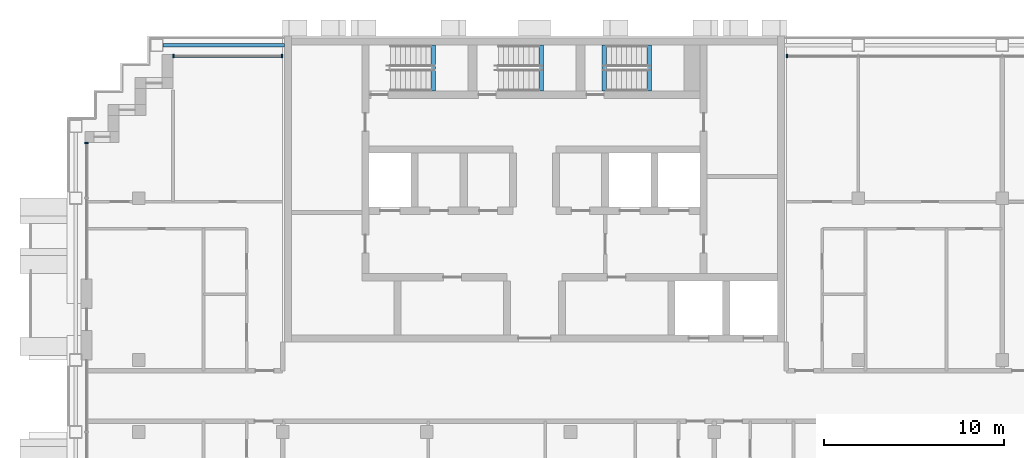
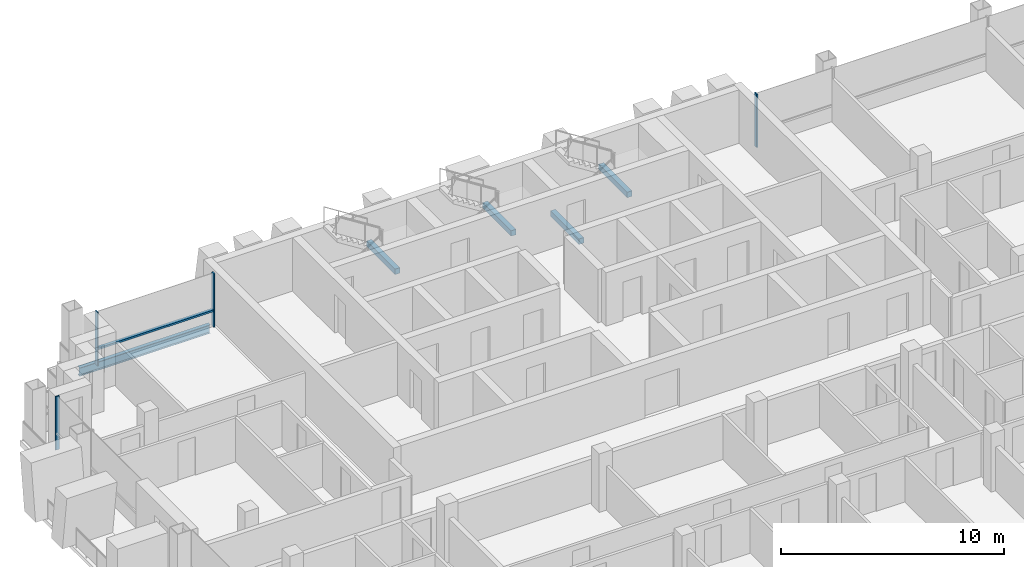
# One storey, part 4 of 16: 5 beams, 5 members, 3 elements without a shape of their own.
"""IFC4 building model written with IfcOpenShell, lengths in metres."""

from ifc_helpers import new_model, si_unit, direction, frame, origin, origin_2d, place, context, subcontext, project, spatial, rectangle, i_section, extrude, material, material_profile, profile_set, type_object, element, aggregate, save


model = new_model("IFC4")

# Units and contexts
model_context = context("Model", 3, precision=1e-05, world=origin(), true_north=direction((0.0, 1.0)))
body_context = subcontext(model_context, "Body", "Model", "MODEL_VIEW")
ifc_project = project(units=[si_unit("LENGTHUNIT", "METRE"), si_unit("AREAUNIT", "SQUARE_METRE"), si_unit("VOLUMEUNIT", "CUBIC_METRE"), si_unit("PLANEANGLEUNIT", "RADIAN"), si_unit("MASSUNIT", "GRAM", prefix="KILO")], contexts=[model_context])

# Site, building, storey
site_placement = place(None, origin())
site = spatial("IfcSite", under=ifc_project, at=site_placement, CompositionType="ELEMENT")
building_placement = place(site_placement, origin())
building = spatial("IfcBuilding", under=site, at=building_placement, Name="Vidyagriha Tower", CompositionType="ELEMENT")
storey_placement = place(building_placement, frame((0.0, 0.0, 187.699951171875)))
storey = spatial("IfcBuildingStorey", under=building, at=storey_placement, Name="L49", CompositionType="ELEMENT", Elevation=187.699951171875)

# Beam
ifc_material_1 = material(Name="Steel ASTM A992 Grade 50", Category="steel")
ifc_material_profile_1 = material_profile(ifc_material_1, i_section(OverallWidth=0.19189453125, OverallDepth=0.46240234375, WebThickness=0.010498046875, FlangeThickness=0.017578125, at=origin_2d()), Name="W18X60")
ifc_profile_set_1 = profile_set([ifc_material_profile_1], Name="Steel ASTM A992 Grade 50")
beam_type_1 = type_object("IfcBeamType", Name="Edge beam W18X60", PredefinedType="SPANDREL", material=ifc_profile_set_1)
beam_placement = place(storey_placement, frame((-20.64990234375, 19.5, -0.510986328125), z_axis=(1.0, 0.0, 0.0), x_axis=(0.0, 1.0, 0.0)))
element("IfcBeam", 1, at=beam_placement, inside=storey, type_object=beam_type_1, Name="st-beam-L49-NC20", PredefinedType="SPANDREL", context=body_context, shape_type="SweptSolid", body=[
    extrude(i_section(OverallWidth=0.19189453125, OverallDepth=0.46240234375, WebThickness=0.010498046875, FlangeThickness=0.017578125, at=origin_2d()), origin(), (0.0, 0.0, 1.0), 6.75),
])

# Curtain wall, member
ifc_material_2 = material(Name="Aluminium and glass curtain wall", Category="aluminium")
curtain_wall_type = type_object("IfcCurtainWallType", Name="Dwelling skin unitised curtain wall", PredefinedType="USERDEFINED", material=ifc_material_2)
curtain_wall_1_placement = place(storey_placement, origin())
curtain_wall_1 = element("IfcCurtainWall", 2, at=curtain_wall_1_placement, inside=storey, type_object=curtain_wall_type, Name="CW1 dwelling skin", ObjectType="UNITISED", PredefinedType="USERDEFINED")
ifc_material_3 = material(Name="Aluminium black anodised", Category="aluminium")
ifc_material_profile_2 = material_profile(ifc_material_3, rectangle(XDim=0.199951171875, YDim=0.070068359375, at=origin_2d()), Name="Mullion 70x200 black aluminium")
ifc_profile_set_2 = profile_set([ifc_material_profile_2], Name="Aluminium black anodised")
member_type_1 = type_object("IfcMemberType", Name="Mullion 70x200 black aluminium", PredefinedType="MULLION", material=ifc_profile_set_2)
member_1_placement = place(storey_placement, frame((14.034912109375, 18.89990234375, 0.0), z_axis=(0.0, 0.0, 1.0), x_axis=(0.0, -1.0, 0.0)))
member_1 = element("IfcMember", 3, at=member_1_placement, type_object=member_type_1, Name="CW1 mullion 4", PredefinedType="MULLION", context=body_context, shape_type="SweptSolid", body=[
    extrude(rectangle(XDim=0.199951171875, YDim=0.070068359375, at=origin_2d()), origin(), (0.0, 0.0, 1.0), 2.920166015625),
])
aggregate(curtain_wall_1, [member_1])

# Curtain wall, members
curtain_wall_2_placement = place(storey_placement, origin())
curtain_wall_2 = element("IfcCurtainWall", 4, at=curtain_wall_2_placement, inside=storey, type_object=curtain_wall_type, Name="CW1 dwelling skin", ObjectType="UNITISED", PredefinedType="USERDEFINED")
member_2_placement = place(storey_placement, frame((-14.034912109375, 18.89990234375, 0.0), z_axis=(0.0, 0.0, 1.0), x_axis=(0.0, -1.0, 0.0)))
member_2 = element("IfcMember", 5, at=member_2_placement, type_object=member_type_1, Name="CW1 mullion 1", PredefinedType="MULLION", context=body_context, shape_type="SweptSolid", body=[
    extrude(rectangle(XDim=0.199951171875, YDim=0.070068359375, at=origin_2d()), origin(), (0.0, 0.0, 1.0), 2.920166015625),
])
member_3_placement = place(storey_placement, frame((-20.06494140625, 18.89990234375, 0.0), z_axis=(0.0, 0.0, 1.0), x_axis=(0.0, -1.0, 0.0)))
member_3 = element("IfcMember", 6, at=member_3_placement, type_object=member_type_1, Name="CW1 mullion 2", PredefinedType="MULLION", context=body_context, shape_type="SweptSolid", body=[
    extrude(rectangle(XDim=0.199951171875, YDim=0.070068359375, at=origin_2d()), origin(), (0.0, 0.0, 1.0), 2.920166015625),
])

# Curtain wall, member
curtain_wall_3_placement = place(storey_placement, origin())
curtain_wall_3 = element("IfcCurtainWall", 7, at=curtain_wall_3_placement, inside=storey, type_object=curtain_wall_type, Name="CW1 dwelling skin", ObjectType="UNITISED", PredefinedType="USERDEFINED")
member_4_placement = place(storey_placement, frame((-24.89990234375, 14.06494140625, 0.0)))
member_4 = element("IfcMember", 8, at=member_4_placement, type_object=member_type_1, Name="CW1 mullion 1", PredefinedType="MULLION", context=body_context, shape_type="SweptSolid", body=[
    extrude(rectangle(XDim=0.199951171875, YDim=0.070068359375, at=origin_2d()), origin(), (0.0, 0.0, 1.0), 2.920166015625),
])
aggregate(curtain_wall_3, [member_4])

# Beams
ifc_material_4 = material(Name="Concrete C40/50", Category="concrete")
ifc_material_profile_3 = material_profile(ifc_material_4, rectangle(XDim=0.25, YDim=0.300048828125, at=origin_2d()), Name="Stair landing bearing beam 250x300")
ifc_profile_set_3 = profile_set([ifc_material_profile_3], Name="Concrete C40/50")
beam_type_2 = type_object("IfcBeamType", Name="Stair landing bearing beam 250x300", PredefinedType="BEAM", material=ifc_profile_set_3)
for number, where, z_axis, x_axis, name in (
    (9, (3.875, 16.949951171875, -0.429931640625), (0.0, 1.0, 0.0), (-1.0, 0.0, 0.0), "ST3 floor landing bearing beam L49"),
    (10, (-5.635009765625, 16.949951171875, 1.25), (0.0, 1.0, 0.0), (-1.0, 0.0, 0.0), "ST1 landing bearing beam L49"),
    (11, (0.364990234375, 16.949951171875, 1.25), (0.0, 1.0, 0.0), (-1.0, 0.0, 0.0), "ST2 landing bearing beam L49"),
    (12, (6.364990234375, 16.949951171875, 1.25), (0.0, 1.0, 0.0), (-1.0, 0.0, 0.0), "ST3 landing bearing beam L49"),
):
    element("IfcBeam", number, at=place(storey_placement, frame(where, z_axis=z_axis, x_axis=x_axis)), inside=storey, type_object=beam_type_2, Name=name, PredefinedType="BEAM", context=body_context, shape_type="SweptSolid", body=[
        extrude(rectangle(XDim=0.25, YDim=0.300048828125, at=origin_2d()), origin(), (0.0, 0.0, 1.0), 2.550048828125),
    ])

# Member
ifc_material_5 = material(Name="Aluminium black anodised", Category="aluminium")
ifc_material_profile_4 = material_profile(ifc_material_5, rectangle(XDim=0.159912109375, YDim=0.10009765625, at=origin_2d()), Name="Transom 100x160 black aluminium")
ifc_profile_set_4 = profile_set([ifc_material_profile_4], Name="Aluminium black anodised")
member_type_2 = type_object("IfcMemberType", Name="Transom 100x160 black aluminium", PredefinedType="USERDEFINED", material=ifc_profile_set_4)
member_5_placement = place(storey_placement, frame((-14.070068359375, 18.89990234375, 0.900146484375), z_axis=(-1.0, 0.0, 0.0), x_axis=(0.0, -1.0, 0.0)))
member_5 = element("IfcMember", 13, at=member_5_placement, type_object=member_type_2, Name="CW1 transom 1.1", ObjectType="TRANSOM", PredefinedType="USERDEFINED", context=body_context, shape_type="SweptSolid", body=[
    extrude(rectangle(XDim=0.159912109375, YDim=0.10009765625, at=origin_2d()), origin(), (0.0, 0.0, 1.0), 5.9599609375),
])

aggregate(curtain_wall_2, [member_2, member_3, member_5])

save(model, "model.ifc")
